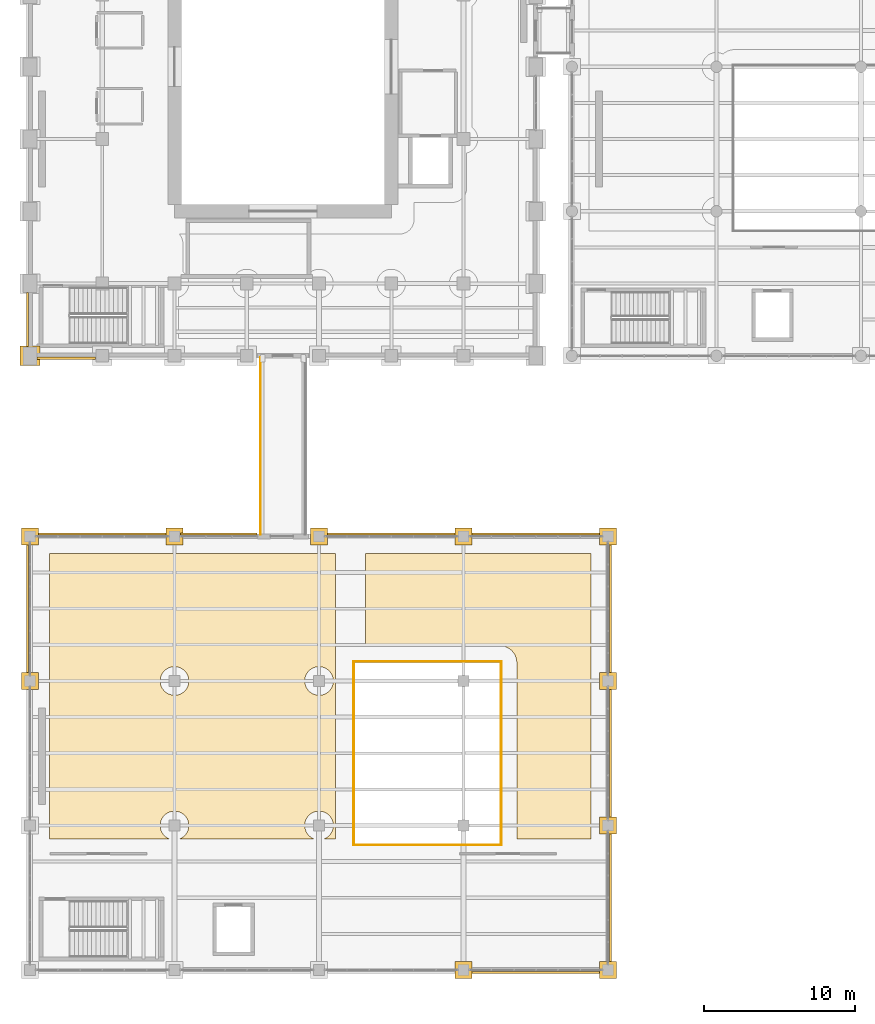
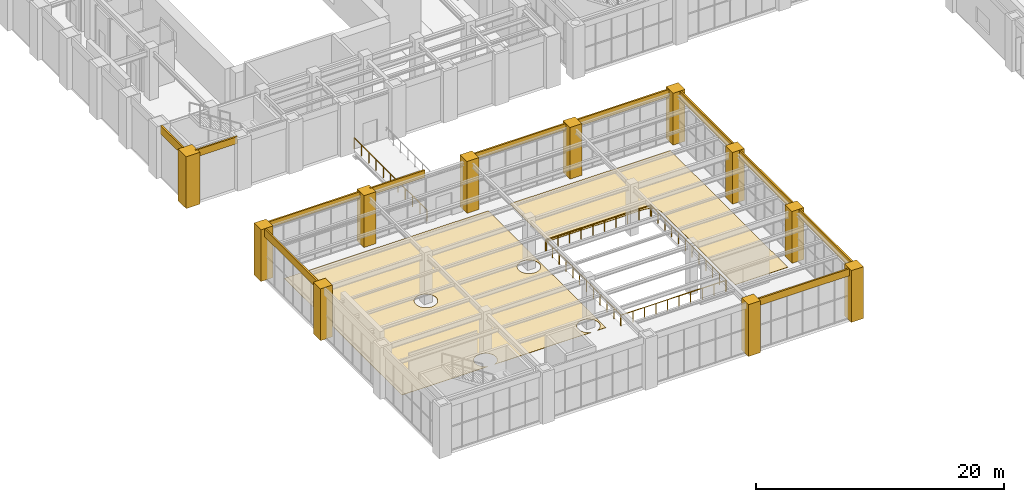
# One storey, part 154 of 174: 24 coverings, 5 railings.
"""IFC4 building model written with IfcOpenShell, lengths in metres."""

from ifc_helpers import new_model, si_unit, direction, frame, origin, origin_2d, place, context, subcontext, project, spatial, polyline, circle, outline, extrude, material, layer, layer_set, type_object, element, save


model = new_model("IFC4")

# Units and contexts
model_context = context("Model", 3, precision=1e-05, world=origin(), true_north=direction((0.0, 1.0)))
body_context = subcontext(model_context, "Body", "Model", "MODEL_VIEW")
ifc_project = project(units=[si_unit("LENGTHUNIT", "METRE"), si_unit("AREAUNIT", "SQUARE_METRE"), si_unit("VOLUMEUNIT", "CUBIC_METRE"), si_unit("PLANEANGLEUNIT", "RADIAN"), si_unit("MASSUNIT", "GRAM", prefix="KILO")], contexts=[model_context])

# Site, building, storey
site_placement = place(None, origin())
site = spatial("IfcSite", under=ifc_project, at=site_placement, CompositionType="ELEMENT")
building_placement = place(site_placement, origin())
building = spatial("IfcBuilding", under=site, at=building_placement, Name="Mavantir Sound Aquarium", CompositionType="ELEMENT")
storey_placement = place(building_placement, frame((0.0, 0.0, 5.39990234375)))
storey = spatial("IfcBuildingStorey", under=building, at=storey_placement, Name="L01", CompositionType="ELEMENT", Elevation=5.39990234375)

# Coverings
ifc_material_1 = material(Name="Honed Coral-Limestone & Glazed Terracotta Rainscreen Cladding", Category="masonry")
ifc_layer_1 = layer(ifc_material_1, 0.06005859375, Name="Honed Coral-Limestone & Glazed Terracotta Rainscreen Cladding")
ifc_layer_set_1 = layer_set([ifc_layer_1], Name="Honed Coral-Limestone & Glazed Terracotta Rainscreen Cladding")
covering_type_1 = type_object("IfcCoveringType", Name="COV-CLAD-TC", PredefinedType="CLADDING", material=ifc_layer_set_1)
covering_1_placement = place(storey_placement, frame((0.0, 0.0, 4.30810546875)))
element("IfcCovering", 1, at=covering_1_placement, inside=storey, type_object=covering_type_1, Name="L01 Postmodern coral-limestone spandrel frieze 175", PredefinedType="CLADDING", context=body_context, shape_type="SweptSolid", body=[
    extrude(outline(polyline([(-0.090087890625, 44.991943359375), (-0.090087890625, 41.407958984375), (-0.239990234375, 41.407958984375), (-0.239990234375, 44.991943359375), (-0.090087890625, 44.991943359375)])), origin(), (0.0, 0.0, 1.0), 0.7919921875),
])
covering_2_placement = place(storey_placement, frame((0.0, 0.0, 4.4130859375)))
element("IfcCovering", 2, at=covering_2_placement, inside=storey, type_object=covering_type_1, Name="L01 Postmodern coral-limestone spandrel frieze 176", PredefinedType="CLADDING", context=body_context, shape_type="SweptSolid", body=[
    extrude(outline(polyline([(0.4580078125, 40.7099609375), (4.366943359375, 40.7099609375), (4.366943359375, 40.56005859375), (0.4580078125, 40.56005859375), (0.4580078125, 40.7099609375)])), origin(), (0.0, 0.0, 1.0), 0.68701171875),
])
covering_3_placement = place(storey_placement, frame((0.0, 0.0, 4.299072265625)))
element("IfcCovering", 3, at=covering_3_placement, inside=storey, type_object=covering_type_1, Name="L01 Postmodern coral-limestone spandrel frieze 194", PredefinedType="CLADDING", context=body_context, shape_type="SweptSolid", body=[
    extrude(outline(polyline([(38.489990234375, 0.383056640625), (38.489990234375, 9.217041015625), (38.639892578125, 9.217041015625), (38.639892578125, 0.383056640625), (38.489990234375, 0.383056640625)])), origin(), (0.0, 0.0, 1.0), 0.801025390625),
])
covering_4_placement = place(storey_placement, frame((0.0, 0.0, 4.299072265625)))
element("IfcCovering", 4, at=covering_4_placement, inside=storey, type_object=covering_type_1, Name="L01 Postmodern coral-limestone spandrel frieze 195", PredefinedType="CLADDING", context=body_context, shape_type="SweptSolid", body=[
    extrude(outline(polyline([(38.489990234375, 9.98291015625), (38.489990234375, 18.81689453125), (38.639892578125, 18.81689453125), (38.639892578125, 9.98291015625), (38.489990234375, 9.98291015625)])), origin(), (0.0, 0.0, 1.0), 0.801025390625),
])
covering_5_placement = place(storey_placement, frame((0.0, 0.0, 4.279052734375)))
element("IfcCovering", 5, at=covering_5_placement, inside=storey, type_object=covering_type_1, Name="L01 Postmodern coral-limestone spandrel frieze 196", PredefinedType="CLADDING", context=body_context, shape_type="SweptSolid", body=[
    extrude(outline(polyline([(38.489990234375, 19.5830078125), (38.489990234375, 28.4169921875), (38.639892578125, 28.4169921875), (38.639892578125, 19.5830078125), (38.489990234375, 19.5830078125)])), origin(), (0.0, 0.0, 1.0), 0.821044921875),
])
covering_6_placement = place(storey_placement, frame((0.0, 0.0, 4.38818359375)))
element("IfcCovering", 6, at=covering_6_placement, inside=storey, type_object=covering_type_1, Name="L01 Postmodern coral-limestone spandrel frieze 197", PredefinedType="CLADDING", context=body_context, shape_type="SweptSolid", body=[
    extrude(outline(polyline([(38.01708984375, 28.889892578125), (29.18310546875, 28.889892578125), (29.18310546875, 29.0400390625), (38.01708984375, 29.0400390625), (38.01708984375, 28.889892578125)])), origin(), (0.0, 0.0, 1.0), 0.7119140625),
])
covering_7_placement = place(storey_placement, frame((0.0, 0.0, 4.4931640625)))
element("IfcCovering", 7, at=covering_7_placement, inside=storey, type_object=covering_type_1, Name="L01 Postmodern coral-limestone spandrel frieze 198", PredefinedType="CLADDING", context=body_context, shape_type="SweptSolid", body=[
    extrude(outline(polyline([(28.4169921875, 28.889892578125), (19.5830078125, 28.889892578125), (19.5830078125, 29.0400390625), (28.4169921875, 29.0400390625), (28.4169921875, 28.889892578125)])), origin(), (0.0, 0.0, 1.0), 0.60693359375),
])
covering_8_placement = place(storey_placement, frame((0.0, 0.0, 4.38818359375)))
element("IfcCovering", 8, at=covering_8_placement, inside=storey, type_object=covering_type_1, Name="L01 Postmodern coral-limestone spandrel frieze 199", PredefinedType="CLADDING", context=body_context, shape_type="SweptSolid", body=[
    extrude(outline(polyline([(15.094970703125, 28.889892578125), (9.98291015625, 28.889892578125), (9.98291015625, 29.0400390625), (15.094970703125, 29.0400390625), (15.094970703125, 28.889892578125)])), origin(), (0.0, 0.0, 1.0), 0.7119140625),
])
covering_9_placement = place(storey_placement, frame((0.0, 0.0, 4.4931640625)))
element("IfcCovering", 9, at=covering_9_placement, inside=storey, type_object=covering_type_1, Name="L01 Postmodern coral-limestone spandrel frieze 200", PredefinedType="CLADDING", context=body_context, shape_type="SweptSolid", body=[
    extrude(outline(polyline([(9.217041015625, 28.889892578125), (0.383056640625, 28.889892578125), (0.383056640625, 29.0400390625), (9.217041015625, 29.0400390625), (9.217041015625, 28.889892578125)])), origin(), (0.0, 0.0, 1.0), 0.60693359375),
])
covering_10_placement = place(storey_placement, frame((0.0, 0.0, 4.343017578125)))
element("IfcCovering", 10, at=covering_10_placement, inside=storey, type_object=covering_type_1, Name="L01 Postmodern coral-limestone spandrel frieze 201", PredefinedType="CLADDING", context=body_context, shape_type="SweptSolid", body=[
    extrude(outline(polyline([(-0.090087890625, 28.4169921875), (-0.090087890625, 19.5830078125), (-0.239990234375, 19.5830078125), (-0.239990234375, 28.4169921875), (-0.090087890625, 28.4169921875)])), origin(), (0.0, 0.0, 1.0), 0.757080078125),
])
covering_11_placement = place(storey_placement, frame((0.0, 0.0, 4.408203125)))
element("IfcCovering", 11, at=covering_11_placement, inside=storey, type_object=covering_type_1, Name="L01 Postmodern coral-limestone spandrel frieze 207", PredefinedType="CLADDING", context=body_context, shape_type="SweptSolid", body=[
    extrude(outline(polyline([(29.18310546875, -0.090087890625), (38.01708984375, -0.090087890625), (38.01708984375, -0.239990234375), (29.18310546875, -0.239990234375), (29.18310546875, -0.090087890625)])), origin(), (0.0, 0.0, 1.0), 0.69189453125),
])
covering_12_placement = place(storey_placement, origin())
element("IfcCovering", 12, at=covering_12_placement, inside=storey, type_object=covering_type_1, Name="L01 Postmodern coral-limestone pilaster casing 2", PredefinedType="CLADDING", context=body_context, shape_type="SweptSolid", body=[
    extrude(outline(polyline([(-0.64990234375, 40.14990234375), (0.64990234375, 40.14990234375), (0.64990234375, 41.449951171875), (-0.64990234375, 41.449951171875), (-0.64990234375, 40.14990234375)])), origin(), (0.0, 0.0, 1.0), 5.10009765625),
])
covering_13_placement = place(storey_placement, origin())
element("IfcCovering", 13, at=covering_13_placement, inside=storey, type_object=covering_type_1, Name="L01 Postmodern coral-limestone pilaster casing 168", PredefinedType="CLADDING", context=body_context, shape_type="SweptSolid", body=[
    extrude(outline(polyline([(-0.56005859375, 18.639892578125), (0.56005859375, 18.639892578125), (0.56005859375, 19.760009765625), (-0.56005859375, 19.760009765625), (-0.56005859375, 18.639892578125)])), origin(), (0.0, 0.0, 1.0), 5.10009765625),
])
covering_14_placement = place(storey_placement, origin())
element("IfcCovering", 14, at=covering_14_placement, inside=storey, type_object=covering_type_1, Name="L01 Postmodern coral-limestone pilaster casing 172", PredefinedType="CLADDING", context=body_context, shape_type="SweptSolid", body=[
    extrude(outline(polyline([(-0.56005859375, 28.239990234375), (0.56005859375, 28.239990234375), (0.56005859375, 29.360107421875), (-0.56005859375, 29.360107421875), (-0.56005859375, 28.239990234375)])), origin(), (0.0, 0.0, 1.0), 5.10009765625),
])
covering_15_placement = place(storey_placement, origin())
element("IfcCovering", 15, at=covering_15_placement, inside=storey, type_object=covering_type_1, Name="L01 Postmodern coral-limestone pilaster casing 180", PredefinedType="CLADDING", context=body_context, shape_type="SweptSolid", body=[
    extrude(outline(polyline([(9.0400390625, 28.239990234375), (10.159912109375, 28.239990234375), (10.159912109375, 29.360107421875), (9.0400390625, 29.360107421875), (9.0400390625, 28.239990234375)])), origin(), (0.0, 0.0, 1.0), 5.10009765625),
])
covering_16_placement = place(storey_placement, origin())
element("IfcCovering", 16, at=covering_16_placement, inside=storey, type_object=covering_type_1, Name="L01 Postmodern coral-limestone pilaster casing 188", PredefinedType="CLADDING", context=body_context, shape_type="SweptSolid", body=[
    extrude(outline(polyline([(18.639892578125, 28.239990234375), (19.760009765625, 28.239990234375), (19.760009765625, 29.360107421875), (18.639892578125, 29.360107421875), (18.639892578125, 28.239990234375)])), origin(), (0.0, 0.0, 1.0), 5.10009765625),
])
covering_17_placement = place(storey_placement, origin())
element("IfcCovering", 17, at=covering_17_placement, inside=storey, type_object=covering_type_1, Name="L01 Postmodern coral-limestone pilaster casing 190", PredefinedType="CLADDING", context=body_context, shape_type="SweptSolid", body=[
    extrude(outline(polyline([(28.239990234375, -0.56005859375), (29.360107421875, -0.56005859375), (29.360107421875, 0.56005859375), (28.239990234375, 0.56005859375), (28.239990234375, -0.56005859375)])), origin(), (0.0, 0.0, 1.0), 5.10009765625),
])
covering_18_placement = place(storey_placement, origin())
element("IfcCovering", 18, at=covering_18_placement, inside=storey, type_object=covering_type_1, Name="L01 Postmodern coral-limestone pilaster casing 197", PredefinedType="CLADDING", context=body_context, shape_type="SweptSolid", body=[
    extrude(outline(polyline([(28.239990234375, 28.239990234375), (29.360107421875, 28.239990234375), (29.360107421875, 29.360107421875), (28.239990234375, 29.360107421875), (28.239990234375, 28.239990234375)])), origin(), (0.0, 0.0, 1.0), 5.10009765625),
])
covering_19_placement = place(storey_placement, origin())
element("IfcCovering", 19, at=covering_19_placement, inside=storey, type_object=covering_type_1, Name="L01 Postmodern coral-limestone pilaster casing 199", PredefinedType="CLADDING", context=body_context, shape_type="SweptSolid", body=[
    extrude(outline(polyline([(37.840087890625, -0.56005859375), (38.9599609375, -0.56005859375), (38.9599609375, 0.56005859375), (37.840087890625, 0.56005859375), (37.840087890625, -0.56005859375)])), origin(), (0.0, 0.0, 1.0), 5.10009765625),
])
covering_20_placement = place(storey_placement, origin())
element("IfcCovering", 20, at=covering_20_placement, inside=storey, type_object=covering_type_1, Name="L01 Postmodern coral-limestone pilaster casing 201", PredefinedType="CLADDING", context=body_context, shape_type="SweptSolid", body=[
    extrude(outline(polyline([(37.840087890625, 9.0400390625), (38.9599609375, 9.0400390625), (38.9599609375, 10.159912109375), (37.840087890625, 10.159912109375), (37.840087890625, 9.0400390625)])), origin(), (0.0, 0.0, 1.0), 5.10009765625),
])
covering_21_placement = place(storey_placement, origin())
element("IfcCovering", 21, at=covering_21_placement, inside=storey, type_object=covering_type_1, Name="L01 Postmodern coral-limestone pilaster casing 203", PredefinedType="CLADDING", context=body_context, shape_type="SweptSolid", body=[
    extrude(outline(polyline([(37.840087890625, 18.639892578125), (38.9599609375, 18.639892578125), (38.9599609375, 19.760009765625), (37.840087890625, 19.760009765625), (37.840087890625, 18.639892578125)])), origin(), (0.0, 0.0, 1.0), 5.10009765625),
])
covering_22_placement = place(storey_placement, origin())
element("IfcCovering", 22, at=covering_22_placement, inside=storey, type_object=covering_type_1, Name="L01 Postmodern coral-limestone pilaster casing 206", PredefinedType="CLADDING", context=body_context, shape_type="SweptSolid", body=[
    extrude(outline(polyline([(37.840087890625, 28.239990234375), (38.9599609375, 28.239990234375), (38.9599609375, 29.360107421875), (37.840087890625, 29.360107421875), (37.840087890625, 28.239990234375)])), origin(), (0.0, 0.0, 1.0), 5.10009765625),
])
ifc_material_2 = material(Name="Marine Epoxy Recycled-Shell Terrazzo Flooring")
ifc_layer_2 = layer(ifc_material_2, 0.030029296875, Name="Marine Epoxy Recycled-Shell Terrazzo Flooring")
ifc_layer_set_2 = layer_set([ifc_layer_2], Name="Marine Epoxy Recycled-Shell Terrazzo Flooring")
covering_type_2 = type_object("IfcCoveringType", Name="COV-FLR-TZ", PredefinedType="FLOORING", material=ifc_layer_set_2)
covering_23_placement = place(storey_placement, origin())
element("IfcCovering", 23, at=covering_23_placement, inside=storey, type_object=covering_type_2, Name="L01 Education Centre Raked Lecture Theatre terrazzo flooring", PredefinedType="FLOORING", context=body_context, shape_type="SweptSolid", body=[
    extrude(outline(polyline([(1.300048828125, 27.659912109375), (20.300048828125, 27.659912109375), (20.300048828125, 8.699951171875), (19.501220703125, 8.699951171875), (19.5634765625, 8.722412109375), (19.647705078125, 8.76220703125), (19.727783203125, 8.81005859375), (19.802734375, 8.865478515625), (19.871826171875, 8.92822265625), (19.934326171875, 8.997314453125), (19.989990234375, 9.072265625), (20.037841796875, 9.152099609375), (20.07763671875, 9.236572265625), (20.109130859375, 9.32421875), (20.131591796875, 9.414794921875), (20.1455078125, 9.5068359375), (20.14990234375, 9.60009765625), (20.1455078125, 9.693115234375), (20.131591796875, 9.785400390625), (20.109130859375, 9.875732421875), (20.07763671875, 9.96337890625), (20.037841796875, 10.0478515625), (19.989990234375, 10.127685546875), (19.934326171875, 10.20263671875), (19.871826171875, 10.271728515625), (19.802734375, 10.33447265625), (19.727783203125, 10.389892578125), (19.647705078125, 10.437744140625), (19.5634765625, 10.477783203125), (19.475830078125, 10.509033203125), (19.38525390625, 10.53173828125), (19.293212890625, 10.54541015625), (19.199951171875, 10.550048828125), (19.10693359375, 10.54541015625), (19.0146484375, 10.53173828125), (18.92431640625, 10.509033203125), (18.83642578125, 10.477783203125), (18.752197265625, 10.437744140625), (18.672119140625, 10.389892578125), (18.597412109375, 10.33447265625), (18.5283203125, 10.271728515625), (18.465576171875, 10.20263671875), (18.41015625, 10.127685546875), (18.3623046875, 10.0478515625), (18.322265625, 9.96337890625), (18.291015625, 9.875732421875), (18.268310546875, 9.785400390625), (18.254638671875, 9.693115234375), (18.25, 9.60009765625), (18.254638671875, 9.5068359375), (18.268310546875, 9.414794921875), (18.291015625, 9.32421875), (18.322265625, 9.236572265625), (18.3623046875, 9.152099609375), (18.41015625, 9.072265625), (18.465576171875, 8.997314453125), (18.5283203125, 8.92822265625), (18.597412109375, 8.865478515625), (18.672119140625, 8.81005859375), (18.752197265625, 8.76220703125), (18.83642578125, 8.722412109375), (18.898681640625, 8.699951171875), (9.901123046875, 8.699951171875), (9.96337890625, 8.722412109375), (10.0478515625, 8.76220703125), (10.127685546875, 8.81005859375), (10.20263671875, 8.865478515625), (10.271728515625, 8.92822265625), (10.33447265625, 8.997314453125), (10.389892578125, 9.072265625), (10.437744140625, 9.152099609375), (10.477783203125, 9.236572265625), (10.509033203125, 9.32421875), (10.53173828125, 9.414794921875), (10.54541015625, 9.5068359375), (10.550048828125, 9.60009765625), (10.54541015625, 9.693115234375), (10.53173828125, 9.785400390625), (10.509033203125, 9.875732421875), (10.477783203125, 9.96337890625), (10.437744140625, 10.0478515625), (10.389892578125, 10.127685546875), (10.33447265625, 10.20263671875), (10.271728515625, 10.271728515625), (10.20263671875, 10.33447265625), (10.127685546875, 10.389892578125), (10.0478515625, 10.437744140625), (9.96337890625, 10.477783203125), (9.875732421875, 10.509033203125), (9.785400390625, 10.53173828125), (9.693115234375, 10.54541015625), (9.60009765625, 10.550048828125), (9.5068359375, 10.54541015625), (9.414794921875, 10.53173828125), (9.32421875, 10.509033203125), (9.236572265625, 10.477783203125), (9.152099609375, 10.437744140625), (9.072265625, 10.389892578125), (8.997314453125, 10.33447265625), (8.92822265625, 10.271728515625), (8.865478515625, 10.20263671875), (8.81005859375, 10.127685546875), (8.76220703125, 10.0478515625), (8.722412109375, 9.96337890625), (8.69091796875, 9.875732421875), (8.668212890625, 9.785400390625), (8.654541015625, 9.693115234375), (8.64990234375, 9.60009765625), (8.654541015625, 9.5068359375), (8.668212890625, 9.414794921875), (8.69091796875, 9.32421875), (8.722412109375, 9.236572265625), (8.76220703125, 9.152099609375), (8.81005859375, 9.072265625), (8.865478515625, 8.997314453125), (8.92822265625, 8.92822265625), (8.997314453125, 8.865478515625), (9.072265625, 8.81005859375), (9.152099609375, 8.76220703125), (9.236572265625, 8.722412109375), (9.298828125, 8.699951171875), (1.300048828125, 8.699951171875), (1.300048828125, 27.659912109375)]), holes=[polyline([(10.33447265625, 18.597412109375), (10.389892578125, 18.672119140625), (10.437744140625, 18.752197265625), (10.477783203125, 18.83642578125), (10.509033203125, 18.92431640625), (10.53173828125, 19.0146484375), (10.54541015625, 19.10693359375), (10.550048828125, 19.199951171875), (10.54541015625, 19.293212890625), (10.53173828125, 19.38525390625), (10.509033203125, 19.475830078125), (10.477783203125, 19.5634765625), (10.437744140625, 19.647705078125), (10.389892578125, 19.727783203125), (10.33447265625, 19.802734375), (10.271728515625, 19.871826171875), (10.20263671875, 19.934326171875), (10.127685546875, 19.989990234375), (10.0478515625, 20.037841796875), (9.96337890625, 20.07763671875), (9.875732421875, 20.109130859375), (9.785400390625, 20.131591796875), (9.693115234375, 20.1455078125), (9.60009765625, 20.14990234375), (9.5068359375, 20.1455078125), (9.414794921875, 20.131591796875), (9.32421875, 20.109130859375), (9.236572265625, 20.07763671875), (9.152099609375, 20.037841796875), (9.072265625, 19.989990234375), (8.997314453125, 19.934326171875), (8.92822265625, 19.871826171875), (8.865478515625, 19.802734375), (8.81005859375, 19.727783203125), (8.76220703125, 19.647705078125), (8.722412109375, 19.5634765625), (8.69091796875, 19.475830078125), (8.668212890625, 19.38525390625), (8.654541015625, 19.293212890625), (8.64990234375, 19.199951171875), (8.654541015625, 19.10693359375), (8.668212890625, 19.0146484375), (8.69091796875, 18.92431640625), (8.722412109375, 18.83642578125), (8.76220703125, 18.752197265625), (8.81005859375, 18.672119140625), (8.865478515625, 18.597412109375), (8.92822265625, 18.5283203125), (8.997314453125, 18.465576171875), (9.072265625, 18.41015625), (9.152099609375, 18.3623046875), (9.236572265625, 18.322265625), (9.32421875, 18.291015625), (9.414794921875, 18.268310546875), (9.5068359375, 18.254638671875), (9.60009765625, 18.25), (9.693115234375, 18.254638671875), (9.785400390625, 18.268310546875), (9.875732421875, 18.291015625), (9.96337890625, 18.322265625), (10.0478515625, 18.3623046875), (10.127685546875, 18.41015625), (10.20263671875, 18.465576171875), (10.271728515625, 18.5283203125), (10.33447265625, 18.597412109375)]), polyline([(19.989990234375, 18.672119140625), (20.037841796875, 18.752197265625), (20.07763671875, 18.83642578125), (20.109130859375, 18.92431640625), (20.131591796875, 19.0146484375), (20.1455078125, 19.10693359375), (20.14990234375, 19.199951171875), (20.1455078125, 19.293212890625), (20.131591796875, 19.38525390625), (20.109130859375, 19.475830078125), (20.07763671875, 19.5634765625), (20.037841796875, 19.647705078125), (19.989990234375, 19.727783203125), (19.934326171875, 19.802734375), (19.871826171875, 19.871826171875), (19.802734375, 19.934326171875), (19.727783203125, 19.989990234375), (19.647705078125, 20.037841796875), (19.5634765625, 20.07763671875), (19.475830078125, 20.109130859375), (19.38525390625, 20.131591796875), (19.293212890625, 20.1455078125), (19.199951171875, 20.14990234375), (19.10693359375, 20.1455078125), (19.0146484375, 20.131591796875), (18.92431640625, 20.109130859375), (18.83642578125, 20.07763671875), (18.752197265625, 20.037841796875), (18.672119140625, 19.989990234375), (18.597412109375, 19.934326171875), (18.5283203125, 19.871826171875), (18.465576171875, 19.802734375), (18.41015625, 19.727783203125), (18.3623046875, 19.647705078125), (18.322265625, 19.5634765625), (18.291015625, 19.475830078125), (18.268310546875, 19.38525390625), (18.254638671875, 19.293212890625), (18.25, 19.199951171875), (18.254638671875, 19.10693359375), (18.268310546875, 19.0146484375), (18.291015625, 18.92431640625), (18.322265625, 18.83642578125), (18.3623046875, 18.752197265625), (18.41015625, 18.672119140625), (18.465576171875, 18.597412109375), (18.5283203125, 18.5283203125), (18.597412109375, 18.465576171875), (18.672119140625, 18.41015625), (18.752197265625, 18.3623046875), (18.83642578125, 18.322265625), (18.92431640625, 18.291015625), (19.0146484375, 18.268310546875), (19.10693359375, 18.254638671875), (19.199951171875, 18.25), (19.293212890625, 18.254638671875), (19.38525390625, 18.268310546875), (19.475830078125, 18.291015625), (19.5634765625, 18.322265625), (19.647705078125, 18.3623046875), (19.727783203125, 18.41015625), (19.802734375, 18.465576171875), (19.871826171875, 18.5283203125), (19.934326171875, 18.597412109375), (19.989990234375, 18.672119140625)])]), origin(), (0.0, 0.0, 1.0), 0.030029296875),
])
covering_24_placement = place(storey_placement, origin())
element("IfcCovering", 24, at=covering_24_placement, inside=storey, type_object=covering_type_2, Name="L01 Education Wet Discovery Laboratory terrazzo flooring", PredefinedType="FLOORING", context=body_context, shape_type="SweptSolid", body=[
    extrude(outline(polyline([(32.340087890625, 20.39990234375), (32.3388671875, 20.44580078125), (32.337646484375, 20.469482421875), (32.329345703125, 20.553466796875), (32.325927734375, 20.576904296875), (32.308837890625, 20.664306640625), (32.302978515625, 20.68701171875), (32.27587890625, 20.77587890625), (32.26806640625, 20.798095703125), (32.236328125, 20.874267578125), (32.226318359375, 20.8955078125), (32.183837890625, 20.9755859375), (32.171630859375, 20.995849609375), (32.122314453125, 21.069580078125), (32.108154296875, 21.088623046875), (32.0517578125, 21.1572265625), (32.035888671875, 21.1748046875), (31.974609375, 21.236083984375), (31.957275390625, 21.251708984375), (31.888671875, 21.30810546875), (31.86962890625, 21.322265625), (31.7958984375, 21.37158203125), (31.775634765625, 21.3837890625), (31.695556640625, 21.426513671875), (31.67431640625, 21.436279296875), (31.59814453125, 21.468017578125), (31.575927734375, 21.47607421875), (31.487060546875, 21.503173828125), (31.464111328125, 21.5087890625), (31.376708984375, 21.52587890625), (31.353515625, 21.529296875), (31.269287109375, 21.53759765625), (31.245849609375, 21.538818359375), (31.199951171875, 21.5400390625), (22.30029296875, 21.5400390625), (22.300048828125, 27.659912109375), (37.260009765625, 27.659912109375), (37.260009765625, 8.699951171875), (32.340087890625, 8.699951171875), (32.340087890625, 20.39990234375)])), origin(), (0.0, 0.0, 1.0), 0.030029296875),
])

# Railings
ifc_material_3 = material(Name="Stainless Steel 316 Bridge Balustrade", Category="steel")
railing_type_1 = type_object("IfcRailingType", Name="RL-BAL-110", PredefinedType="BALUSTRADE", material=ifc_material_3)
railing_1_placement = place(storey_placement, frame((15.320068359375, 28.919921875, 0.0)))
element("IfcRailing", 25, at=railing_1_placement, inside=storey, type_object=railing_type_1, Name="L01 bridge W guardrail 6", PredefinedType="BALUSTRADE", context=body_context, shape_type="SweptSolid", body=[
    extrude(circle(Radius=0.02392578125, at=origin_2d()), frame((0.0, 0.0, 1.076171875), z_axis=(0.0, 1.0, 0.0), x_axis=(-1.0, 0.0, 0.0)), (0.0, 0.0, 1.0), 11.760009765625),
    extrude(circle(Radius=0.02099609375, at=origin_2d()), origin(), (0.0, 0.0, 1.0), 1.052001953125),
    extrude(circle(Radius=0.02099609375, at=origin_2d()), frame((0.0, 1.176025390625, 0.0)), (0.0, 0.0, 1.0), 1.052001953125),
    extrude(circle(Radius=0.02099609375, at=origin_2d()), frame((0.0, 2.35205078125, 0.0)), (0.0, 0.0, 1.0), 1.052001953125),
    extrude(circle(Radius=0.02099609375, at=origin_2d()), frame((0.0, 3.528076171875, 0.0)), (0.0, 0.0, 1.0), 1.052001953125),
    extrude(circle(Radius=0.02099609375, at=origin_2d()), frame((0.0, 4.7041015625, 0.0)), (0.0, 0.0, 1.0), 1.052001953125),
    extrude(circle(Radius=0.02099609375, at=origin_2d()), frame((0.0, 5.8798828125, 0.0)), (0.0, 0.0, 1.0), 1.052001953125),
    extrude(circle(Radius=0.02099609375, at=origin_2d()), frame((0.0, 7.055908203125, 0.0)), (0.0, 0.0, 1.0), 1.052001953125),
    extrude(circle(Radius=0.02099609375, at=origin_2d()), frame((0.0, 8.23193359375, 0.0)), (0.0, 0.0, 1.0), 1.052001953125),
    extrude(circle(Radius=0.02099609375, at=origin_2d()), frame((0.0, 9.407958984375, 0.0)), (0.0, 0.0, 1.0), 1.052001953125),
    extrude(circle(Radius=0.02099609375, at=origin_2d()), frame((0.0, 10.583984375, 0.0)), (0.0, 0.0, 1.0), 1.052001953125),
    extrude(circle(Radius=0.02099609375, at=origin_2d()), frame((0.0, 11.760009765625, 0.0)), (0.0, 0.0, 1.0), 1.052001953125),
])
ifc_material_4 = material(Name="Stainless Steel 316 and Laminated Glass Guardrail", Category="steel")
railing_type_2 = type_object("IfcRailingType", Name="RL-GUARD-110", PredefinedType="GUARDRAIL", material=ifc_material_4)
railing_2_placement = place(storey_placement, frame((21.5, 8.300048828125, 0.0)))
element("IfcRailing", 26, at=railing_2_placement, inside=storey, type_object=railing_type_2, Name="L01 atrium void S guardrail 91", PredefinedType="GUARDRAIL", context=body_context, shape_type="SweptSolid", body=[
    extrude(circle(Radius=0.02392578125, at=origin_2d()), frame((0.0, 0.0, 1.076171875), z_axis=(1.0, 0.0, 0.0), x_axis=(0.0, 1.0, 0.0)), (0.0, 0.0, 1.0), 9.719970703125),
    extrude(circle(Radius=0.02099609375, at=origin_2d()), origin(), (0.0, 0.0, 1.0), 1.052001953125),
    extrude(circle(Radius=0.02099609375, at=origin_2d()), frame((1.080078125, 0.0, 0.0)), (0.0, 0.0, 1.0), 1.052001953125),
    extrude(circle(Radius=0.02099609375, at=origin_2d()), frame((2.159912109375, 0.0, 0.0)), (0.0, 0.0, 1.0), 1.052001953125),
    extrude(circle(Radius=0.02099609375, at=origin_2d()), frame((3.239990234375, 0.0, 0.0)), (0.0, 0.0, 1.0), 1.052001953125),
    extrude(circle(Radius=0.02099609375, at=origin_2d()), frame((4.320068359375, 0.0, 0.0)), (0.0, 0.0, 1.0), 1.052001953125),
    extrude(circle(Radius=0.02099609375, at=origin_2d()), frame((5.39990234375, 0.0, 0.0)), (0.0, 0.0, 1.0), 1.052001953125),
    extrude(circle(Radius=0.02099609375, at=origin_2d()), frame((6.47998046875, 0.0, 0.0)), (0.0, 0.0, 1.0), 1.052001953125),
    extrude(circle(Radius=0.02099609375, at=origin_2d()), frame((7.56005859375, 0.0, 0.0)), (0.0, 0.0, 1.0), 1.052001953125),
    extrude(circle(Radius=0.02099609375, at=origin_2d()), frame((8.639892578125, 0.0, 0.0)), (0.0, 0.0, 1.0), 1.052001953125),
    extrude(circle(Radius=0.02099609375, at=origin_2d()), frame((9.719970703125, 0.0, 0.0)), (0.0, 0.0, 1.0), 1.052001953125),
])
railing_3_placement = place(storey_placement, frame((31.300048828125, 8.300048828125, 0.0)))
element("IfcRailing", 27, at=railing_3_placement, inside=storey, type_object=railing_type_2, Name="L01 atrium void E guardrail 92", PredefinedType="GUARDRAIL", context=body_context, shape_type="SweptSolid", body=[
    extrude(circle(Radius=0.02392578125, at=origin_2d()), frame((0.0, 0.0, 1.076171875), z_axis=(0.0, 1.0, 0.0), x_axis=(-1.0, 0.0, 0.0)), (0.0, 0.0, 1.0), 12.119873046875),
    extrude(circle(Radius=0.02099609375, at=origin_2d()), origin(), (0.0, 0.0, 1.0), 1.052001953125),
    extrude(circle(Radius=0.02099609375, at=origin_2d()), frame((0.0, 1.101806640625, 0.0)), (0.0, 0.0, 1.0), 1.052001953125),
    extrude(circle(Radius=0.02099609375, at=origin_2d()), frame((0.0, 2.20361328125, 0.0)), (0.0, 0.0, 1.0), 1.052001953125),
    extrude(circle(Radius=0.02099609375, at=origin_2d()), frame((0.0, 3.305419921875, 0.0)), (0.0, 0.0, 1.0), 1.052001953125),
    extrude(circle(Radius=0.02099609375, at=origin_2d()), frame((0.0, 4.4072265625, 0.0)), (0.0, 0.0, 1.0), 1.052001953125),
    extrude(circle(Radius=0.02099609375, at=origin_2d()), frame((0.0, 5.509033203125, 0.0)), (0.0, 0.0, 1.0), 1.052001953125),
    extrude(circle(Radius=0.02099609375, at=origin_2d()), frame((0.0, 6.61083984375, 0.0)), (0.0, 0.0, 1.0), 1.052001953125),
    extrude(circle(Radius=0.02099609375, at=origin_2d()), frame((0.0, 7.712646484375, 0.0)), (0.0, 0.0, 1.0), 1.052001953125),
    extrude(circle(Radius=0.02099609375, at=origin_2d()), frame((0.0, 8.814453125, 0.0)), (0.0, 0.0, 1.0), 1.052001953125),
    extrude(circle(Radius=0.02099609375, at=origin_2d()), frame((0.0, 9.916259765625, 0.0)), (0.0, 0.0, 1.0), 1.052001953125),
    extrude(circle(Radius=0.02099609375, at=origin_2d()), frame((0.0, 11.01806640625, 0.0)), (0.0, 0.0, 1.0), 1.052001953125),
    extrude(circle(Radius=0.02099609375, at=origin_2d()), frame((0.0, 12.119873046875, 0.0)), (0.0, 0.0, 1.0), 1.052001953125),
])
railing_4_placement = place(storey_placement, frame((31.300048828125, 20.5, 0.0)))
element("IfcRailing", 28, at=railing_4_placement, inside=storey, type_object=railing_type_2, Name="L01 atrium void N guardrail 93", PredefinedType="GUARDRAIL", context=body_context, shape_type="SweptSolid", body=[
    extrude(circle(Radius=0.02392578125, at=origin_2d()), frame((0.0, 0.0, 1.076171875), z_axis=(-1.0, 0.0, 0.0), x_axis=(0.0, -1.0, 0.0)), (0.0, 0.0, 1.0), 9.719970703125),
    extrude(circle(Radius=0.02099609375, at=origin_2d()), origin(), (0.0, 0.0, 1.0), 1.052001953125),
    extrude(circle(Radius=0.02099609375, at=origin_2d()), frame((-1.080078125, 0.0, 0.0)), (0.0, 0.0, 1.0), 1.052001953125),
    extrude(circle(Radius=0.02099609375, at=origin_2d()), frame((-2.159912109375, 0.0, 0.0)), (0.0, 0.0, 1.0), 1.052001953125),
    extrude(circle(Radius=0.02099609375, at=origin_2d()), frame((-3.239990234375, 0.0, 0.0)), (0.0, 0.0, 1.0), 1.052001953125),
    extrude(circle(Radius=0.02099609375, at=origin_2d()), frame((-4.320068359375, 0.0, 0.0)), (0.0, 0.0, 1.0), 1.052001953125),
    extrude(circle(Radius=0.02099609375, at=origin_2d()), frame((-5.39990234375, 0.0, 0.0)), (0.0, 0.0, 1.0), 1.052001953125),
    extrude(circle(Radius=0.02099609375, at=origin_2d()), frame((-6.47998046875, 0.0, 0.0)), (0.0, 0.0, 1.0), 1.052001953125),
    extrude(circle(Radius=0.02099609375, at=origin_2d()), frame((-7.56005859375, 0.0, 0.0)), (0.0, 0.0, 1.0), 1.052001953125),
    extrude(circle(Radius=0.02099609375, at=origin_2d()), frame((-8.639892578125, 0.0, 0.0)), (0.0, 0.0, 1.0), 1.052001953125),
    extrude(circle(Radius=0.02099609375, at=origin_2d()), frame((-9.719970703125, 0.0, 0.0)), (0.0, 0.0, 1.0), 1.052001953125),
])
railing_5_placement = place(storey_placement, frame((21.5, 20.5, 0.0)))
element("IfcRailing", 29, at=railing_5_placement, inside=storey, type_object=railing_type_2, Name="L01 atrium void W guardrail 94", PredefinedType="GUARDRAIL", context=body_context, shape_type="SweptSolid", body=[
    extrude(circle(Radius=0.02392578125, at=origin_2d()), frame((0.0, 0.0, 1.076171875), z_axis=(0.0, -1.0, 0.0), x_axis=(1.0, 0.0, 0.0)), (0.0, 0.0, 1.0), 12.1201171875),
    extrude(circle(Radius=0.02099609375, at=origin_2d()), origin(), (0.0, 0.0, 1.0), 1.052001953125),
    extrude(circle(Radius=0.02099609375, at=origin_2d()), frame((0.0, -1.101806640625, 0.0)), (0.0, 0.0, 1.0), 1.052001953125),
    extrude(circle(Radius=0.02099609375, at=origin_2d()), frame((0.0, -2.20361328125, 0.0)), (0.0, 0.0, 1.0), 1.052001953125),
    extrude(circle(Radius=0.02099609375, at=origin_2d()), frame((0.0, -3.305419921875, 0.0)), (0.0, 0.0, 1.0), 1.052001953125),
    extrude(circle(Radius=0.02099609375, at=origin_2d()), frame((0.0, -4.4072265625, 0.0)), (0.0, 0.0, 1.0), 1.052001953125),
    extrude(circle(Radius=0.02099609375, at=origin_2d()), frame((0.0, -5.509033203125, 0.0)), (0.0, 0.0, 1.0), 1.052001953125),
    extrude(circle(Radius=0.02099609375, at=origin_2d()), frame((0.0, -6.611083984375, 0.0)), (0.0, 0.0, 1.0), 1.052001953125),
    extrude(circle(Radius=0.02099609375, at=origin_2d()), frame((0.0, -7.712890625, 0.0)), (0.0, 0.0, 1.0), 1.052001953125),
    extrude(circle(Radius=0.02099609375, at=origin_2d()), frame((0.0, -8.814697265625, 0.0)), (0.0, 0.0, 1.0), 1.052001953125),
    extrude(circle(Radius=0.02099609375, at=origin_2d()), frame((0.0, -9.91650390625, 0.0)), (0.0, 0.0, 1.0), 1.052001953125),
    extrude(circle(Radius=0.02099609375, at=origin_2d()), frame((0.0, -11.018310546875, 0.0)), (0.0, 0.0, 1.0), 1.052001953125),
    extrude(circle(Radius=0.02099609375, at=origin_2d()), frame((0.0, -12.1201171875, 0.0)), (0.0, 0.0, 1.0), 1.052001953125),
])

save(model, "model.ifc")
